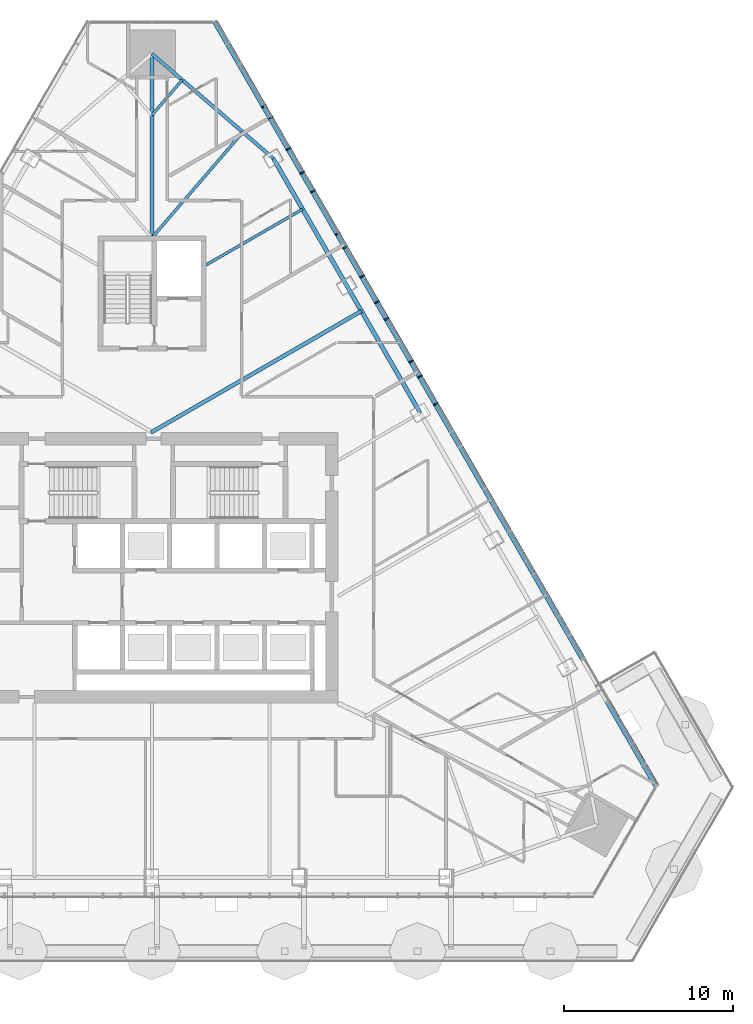
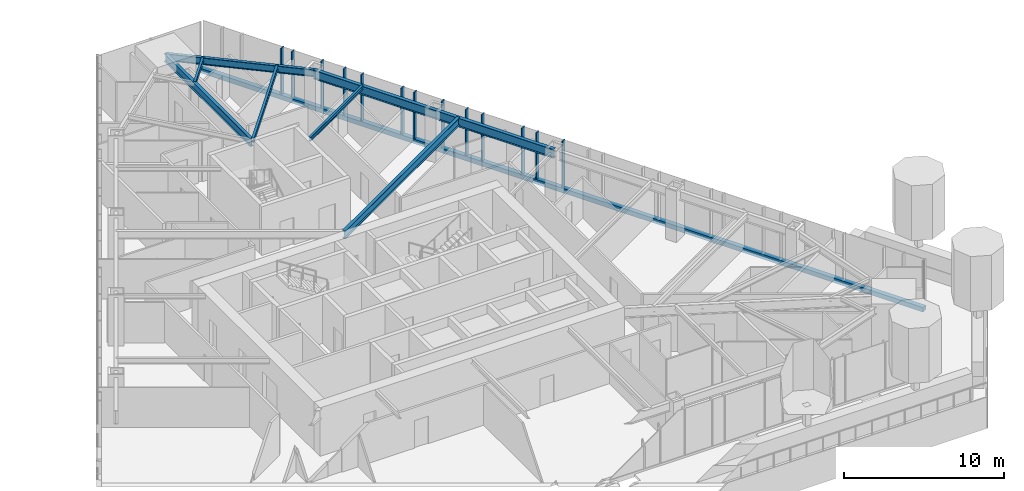
# One storey, part 7 of 24: 14 members, 7 beams, 1 element without a shape of its own.
"""IFC4 building model written with IfcOpenShell, lengths in metres."""

from ifc_helpers import new_model, si_unit, direction, frame, origin, origin_2d, place, context, subcontext, project, spatial, rectangle, i_section, extrude, material, layer, layer_set, material_profile, profile_set, type_object, element, aggregate, save


model = new_model("IFC4")

# Units and contexts
model_context = context("Model", 3, precision=1e-05, world=origin(), true_north=direction((0.0, 1.0)))
body_context = subcontext(model_context, "Body", "Model", "MODEL_VIEW")
ifc_project = project(units=[si_unit("LENGTHUNIT", "METRE"), si_unit("AREAUNIT", "SQUARE_METRE"), si_unit("VOLUMEUNIT", "CUBIC_METRE"), si_unit("PLANEANGLEUNIT", "RADIAN"), si_unit("MASSUNIT", "GRAM", prefix="KILO")], contexts=[model_context])

# Site, building, storey
site_placement = place(None, origin())
site = spatial("IfcSite", under=ifc_project, at=site_placement, CompositionType="ELEMENT")
building_placement = place(site_placement, origin())
building = spatial("IfcBuilding", under=site, at=building_placement, Name="Firuza Gate Tower and Library", CompositionType="ELEMENT")
storey_placement = place(building_placement, frame((0.0, 0.0, 194.800048828125)))
storey = spatial("IfcBuildingStorey", under=building, at=storey_placement, Name="L45", CompositionType="ELEMENT", Elevation=194.800048828125)

# Curtain wall, members
ifc_material_1 = material(Name="Aluminium 6063-T6", Category="aluminium")
ifc_layer = layer(ifc_material_1, 0.14990234375)
ifc_layer_set = layer_set([ifc_layer], Name="Unitised curtain wall, hotel")
curtain_wall_type = type_object("IfcCurtainWallType", Name="Unitised curtain wall, hotel", PredefinedType="NOTDEFINED", material=ifc_layer_set)
curtain_wall_placement = place(storey_placement, origin())
curtain_wall = element("IfcCurtainWall", 1, at=curtain_wall_placement, inside=storey, type_object=curtain_wall_type, Name="CW2 L45 E face", PredefinedType="NOTDEFINED")
ifc_material_2 = material(Name="Aluminium 6063-T6", Category="aluminium")
ifc_material_profile_1 = material_profile(ifc_material_2, rectangle(XDim=0.320068359375, YDim=0.080078125, at=origin_2d()))
ifc_profile_set_1 = profile_set([ifc_material_profile_1], Name="Aluminium 6063-T6")
member_type_1 = type_object("IfcMemberType", Name="Curtain wall mullion 80x320", PredefinedType="MULLION", material=ifc_profile_set_1)
member_1_placement = place(storey_placement, frame((91.767333984375, 84.6806640625, 0.14990234375), z_axis=(0.0, 0.0, 1.0), x_axis=(-0.866025403784, -0.5, 0.0)))
member_1 = element("IfcMember", 2, at=member_1_placement, type_object=member_type_1, Name="Mullion", PredefinedType="MULLION", context=body_context, shape_type="SweptSolid", body=[
    extrude(rectangle(XDim=0.320068359375, YDim=0.080078125, at=origin_2d()), origin(), (0.0, 0.0, 1.0), 3.550048828125),
])
member_2_placement = place(storey_placement, frame((90.317138671875, 87.192138671875, 0.14990234375), z_axis=(0.0, 0.0, 1.0), x_axis=(-0.866025403784, -0.5, 0.0)))
member_2 = element("IfcMember", 3, at=member_2_placement, type_object=member_type_1, Name="Mullion", PredefinedType="MULLION", context=body_context, shape_type="SweptSolid", body=[
    extrude(rectangle(XDim=0.320068359375, YDim=0.080078125, at=origin_2d()), origin(), (0.0, 0.0, 1.0), 3.550048828125),
])
member_3_placement = place(storey_placement, frame((88.8671875, 89.70361328125, 0.14990234375), z_axis=(0.0, 0.0, 1.0), x_axis=(-0.866025403784, -0.5, 0.0)))
member_3 = element("IfcMember", 4, at=member_3_placement, type_object=member_type_1, Name="Mullion", PredefinedType="MULLION", context=body_context, shape_type="SweptSolid", body=[
    extrude(rectangle(XDim=0.320068359375, YDim=0.080078125, at=origin_2d()), origin(), (0.0, 0.0, 1.0), 3.550048828125),
])
member_4_placement = place(storey_placement, frame((87.417236328125, 92.215087890625, 0.14990234375), z_axis=(0.0, 0.0, 1.0), x_axis=(-0.866025403784, -0.5, 0.0)))
member_4 = element("IfcMember", 5, at=member_4_placement, type_object=member_type_1, Name="Mullion", PredefinedType="MULLION", context=body_context, shape_type="SweptSolid", body=[
    extrude(rectangle(XDim=0.320068359375, YDim=0.080078125, at=origin_2d()), origin(), (0.0, 0.0, 1.0), 3.550048828125),
])
member_5_placement = place(storey_placement, frame((85.967041015625, 94.726806640625, 0.14990234375), z_axis=(0.0, 0.0, 1.0), x_axis=(-0.866025403784, -0.5, 0.0)))
member_5 = element("IfcMember", 6, at=member_5_placement, type_object=member_type_1, Name="Mullion", PredefinedType="MULLION", context=body_context, shape_type="SweptSolid", body=[
    extrude(rectangle(XDim=0.320068359375, YDim=0.080078125, at=origin_2d()), origin(), (0.0, 0.0, 1.0), 3.550048828125),
])
member_6_placement = place(storey_placement, frame((84.51708984375, 97.23828125, 0.14990234375), z_axis=(0.0, 0.0, 1.0), x_axis=(-0.866025403784, -0.5, 0.0)))
member_6 = element("IfcMember", 7, at=member_6_placement, type_object=member_type_1, Name="Mullion", PredefinedType="MULLION", context=body_context, shape_type="SweptSolid", body=[
    extrude(rectangle(XDim=0.320068359375, YDim=0.080078125, at=origin_2d()), origin(), (0.0, 0.0, 1.0), 3.550048828125),
])
member_7_placement = place(storey_placement, frame((83.067138671875, 99.749755859375, 0.14990234375), z_axis=(0.0, 0.0, 1.0), x_axis=(-0.866025403784, -0.5, 0.0)))
member_7 = element("IfcMember", 8, at=member_7_placement, type_object=member_type_1, Name="Mullion", PredefinedType="MULLION", context=body_context, shape_type="SweptSolid", body=[
    extrude(rectangle(XDim=0.320068359375, YDim=0.080078125, at=origin_2d()), origin(), (0.0, 0.0, 1.0), 3.550048828125),
])
member_8_placement = place(storey_placement, frame((81.616943359375, 102.26123046875, 0.14990234375), z_axis=(0.0, 0.0, 1.0), x_axis=(-0.866025403784, -0.5, 0.0)))
member_8 = element("IfcMember", 9, at=member_8_placement, type_object=member_type_1, Name="Mullion", PredefinedType="MULLION", context=body_context, shape_type="SweptSolid", body=[
    extrude(rectangle(XDim=0.320068359375, YDim=0.080078125, at=origin_2d()), origin(), (0.0, 0.0, 1.0), 3.550048828125),
])
member_9_placement = place(storey_placement, frame((90.831298828125, 86.3017578125, 0.14990234375), z_axis=(0.0, 0.0, 1.0), x_axis=(-0.866025403784, -0.5, 0.0)))
member_9 = element("IfcMember", 10, at=member_9_placement, type_object=member_type_1, Name="Mullion", PredefinedType="MULLION", context=body_context, shape_type="SweptSolid", body=[
    extrude(rectangle(XDim=0.320068359375, YDim=0.080078125, at=origin_2d()), origin(), (0.0, 0.0, 1.0), 3.550048828125),
])
member_10_placement = place(storey_placement, frame((88.291259765625, 90.701171875, 0.14990234375), z_axis=(0.0, 0.0, 1.0), x_axis=(-0.866025403784, -0.5, 0.0)))
member_10 = element("IfcMember", 11, at=member_10_placement, type_object=member_type_1, Name="Mullion", PredefinedType="MULLION", context=body_context, shape_type="SweptSolid", body=[
    extrude(rectangle(XDim=0.320068359375, YDim=0.080078125, at=origin_2d()), origin(), (0.0, 0.0, 1.0), 3.550048828125),
])
member_11_placement = place(storey_placement, frame((86.41943359375, 93.943359375, 0.14990234375), z_axis=(0.0, 0.0, 1.0), x_axis=(-0.866025403784, -0.5, 0.0)))
member_11 = element("IfcMember", 12, at=member_11_placement, type_object=member_type_1, Name="Mullion", PredefinedType="MULLION", context=body_context, shape_type="SweptSolid", body=[
    extrude(rectangle(XDim=0.320068359375, YDim=0.080078125, at=origin_2d()), origin(), (0.0, 0.0, 1.0), 3.550048828125),
])
member_12_placement = place(storey_placement, frame((83.87939453125, 98.3427734375, 0.14990234375), z_axis=(0.0, 0.0, 1.0), x_axis=(-0.866025403784, -0.5, 0.0)))
member_12 = element("IfcMember", 13, at=member_12_placement, type_object=member_type_1, Name="Mullion", PredefinedType="MULLION", context=body_context, shape_type="SweptSolid", body=[
    extrude(rectangle(XDim=0.320068359375, YDim=0.080078125, at=origin_2d()), origin(), (0.0, 0.0, 1.0), 3.550048828125),
])
member_13_placement = place(storey_placement, frame((82.00732421875, 101.585205078125, 0.14990234375), z_axis=(0.0, 0.0, 1.0), x_axis=(-0.866025403784, -0.5, 0.0)))
member_13 = element("IfcMember", 14, at=member_13_placement, type_object=member_type_1, Name="Mullion", PredefinedType="MULLION", context=body_context, shape_type="SweptSolid", body=[
    extrude(rectangle(XDim=0.320068359375, YDim=0.080078125, at=origin_2d()), origin(), (0.0, 0.0, 1.0), 3.550048828125),
])
ifc_material_3 = material(Name="Aluminium 6063-T6", Category="aluminium")
ifc_material_profile_2 = material_profile(ifc_material_3, rectangle(XDim=0.320068359375, YDim=0.35009765625, at=origin_2d()))
ifc_profile_set_2 = profile_set([ifc_material_profile_2], Name="Aluminium 6063-T6")
member_type_2 = type_object("IfcMemberType", Name="Curtain wall transom 350x320", PredefinedType="USERDEFINED", material=ifc_profile_set_2)
member_14_placement = place(storey_placement, frame((104.817626953125, 62.07666015625, -0.025146484375), z_axis=(-0.500001660192, 0.86602444527, 0.0), x_axis=(-0.86602444527, -0.500001660192, 0.0)))
member_14 = element("IfcMember", 15, at=member_14_placement, type_object=member_type_2, Name="Transom", ObjectType="TRANSOM", PredefinedType="USERDEFINED", context=body_context, shape_type="SweptSolid", body=[
    extrude(rectangle(XDim=0.320068359375, YDim=0.35009765625, at=origin_2d()), origin(), (0.0, 0.0, 1.0), 52.201416015625),
])
aggregate(curtain_wall, [member_1, member_2, member_3, member_4, member_5, member_6, member_7, member_8, member_14, member_9, member_10, member_11, member_12, member_13])

# Beams
ifc_material_4 = material(Name="Steel S355", Category="steel")
ifc_material_profile_3 = material_profile(ifc_material_4, i_section(OverallWidth=0.1650390625, OverallDepth=0.31005859375, WebThickness=0.005859375, FlangeThickness=0.009765625, at=origin_2d()))
ifc_profile_set_3 = profile_set([ifc_material_profile_3], Name="Steel S355")
beam_type_1 = type_object("IfcBeamType", Name="W310x39 Floor beam", PredefinedType="JOIST", material=ifc_profile_set_3)
beam_1_placement = place(storey_placement, frame((83.900634765625, 96.18603515625, 3.544921875), z_axis=(-0.866027472073, -0.499996417602, 0.0), x_axis=(0.499996417602, -0.866027472073, 0.0)))
element("IfcBeam", 16, at=beam_1_placement, inside=storey, type_object=beam_type_1, Name="Floor beam L45 s54", PredefinedType="JOIST", context=body_context, shape_type="SweptSolid", body=[
    extrude(i_section(OverallWidth=0.1650390625, OverallDepth=0.31005859375, WebThickness=0.005859375, FlangeThickness=0.009765625, at=origin_2d()), origin(), (0.0, 0.0, 1.0), 6.58251953125),
])
beam_2_placement = place(storey_placement, frame((76.790771484375, 103.823974609375, 3.544921875), z_axis=(-0.652701953737, -0.757614783111, 0.0), x_axis=(0.757614783111, -0.652701953737, 0.0)))
element("IfcBeam", 17, at=beam_2_placement, inside=storey, type_object=beam_type_1, Name="Floor beam L45 s61", PredefinedType="JOIST", context=body_context, shape_type="SweptSolid", body=[
    extrude(i_section(OverallWidth=0.1650390625, OverallDepth=0.31005859375, WebThickness=0.005859375, FlangeThickness=0.009765625, at=origin_2d()), origin(), (0.0, 0.0, 1.0), 2.74365234375),
])
ifc_material_5 = material(Name="Steel S355", Category="steel")
ifc_material_profile_4 = material_profile(ifc_material_5, i_section(OverallWidth=0.1708984375, OverallDepth=0.35498046875, WebThickness=0.007080078125, FlangeThickness=0.01171875, at=origin_2d()))
ifc_profile_set_4 = profile_set([ifc_material_profile_4], Name="Steel S355")
beam_type_2 = type_object("IfcBeamType", Name="W360x51 Floor beam", PredefinedType="JOIST", material=ifc_profile_set_4)
beam_3_placement = place(storey_placement, frame((80.37255859375, 100.73779296875, 3.5224609375), z_axis=(-0.65274228711, -0.757580033144, 0.0), x_axis=(0.757580033144, -0.65274228711, 0.0)))
element("IfcBeam", 18, at=beam_3_placement, inside=storey, type_object=beam_type_2, Name="Floor beam L45 s60", PredefinedType="JOIST", context=body_context, shape_type="SweptSolid", body=[
    extrude(i_section(OverallWidth=0.1708984375, OverallDepth=0.35498046875, WebThickness=0.007080078125, FlangeThickness=0.01171875, at=origin_2d()), origin(), (0.0, 0.0, 1.0), 8.101806640625),
])
ifc_material_6 = material(Name="Steel S355", Category="steel")
ifc_material_profile_5 = material_profile(ifc_material_6, i_section(OverallWidth=0.212890625, OverallDepth=0.5390625, WebThickness=0.01171875, FlangeThickness=0.018798828125, at=origin_2d()))
ifc_profile_set_5 = profile_set([ifc_material_profile_5], Name="Steel S355")
beam_type_3 = type_object("IfcBeamType", Name="W530x109 Edge beam", PredefinedType="SPANDREL", material=ifc_profile_set_5)
beam_4_placement = place(storey_placement, frame((82.16357421875, 99.19482421875, 3.430419921875), z_axis=(-0.757586494154, 0.652734788314, 0.0), x_axis=(-0.652734788314, -0.757586494154, 0.0)))
element("IfcBeam", 19, at=beam_4_placement, inside=storey, type_object=beam_type_3, Name="Edge beam L45 e60", PredefinedType="SPANDREL", context=body_context, shape_type="SweptSolid", body=[
    extrude(i_section(OverallWidth=0.212890625, OverallDepth=0.5390625, WebThickness=0.01171875, FlangeThickness=0.018798828125, at=origin_2d()), origin(), (0.0, 0.0, 1.0), 9.455810546875),
])
ifc_material_7 = material(Name="Steel S355", Category="steel")
ifc_material_profile_6 = material_profile(ifc_material_7, i_section(OverallWidth=0.22802734375, OverallDepth=0.60302734375, WebThickness=0.010498046875, FlangeThickness=0.014892578125, at=origin_2d()))
ifc_profile_set_6 = profile_set([ifc_material_profile_6], Name="Steel S355")
beam_type_4 = type_object("IfcBeamType", Name="W610x101 Floor beam", PredefinedType="JOIST", material=ifc_profile_set_6)
beam_5_placement = place(storey_placement, frame((87.375, 90.168212890625, 3.3984375), z_axis=(-0.866026494677, -0.499998110514, 0.0), x_axis=(0.499998110514, -0.866026494677, 0.0)))
element("IfcBeam", 20, at=beam_5_placement, inside=storey, type_object=beam_type_4, Name="Floor beam L45 s53", PredefinedType="JOIST", context=body_context, shape_type="SweptSolid", body=[
    extrude(i_section(OverallWidth=0.22802734375, OverallDepth=0.60302734375, WebThickness=0.010498046875, FlangeThickness=0.014892578125, at=origin_2d()), origin(), (0.0, 0.0, 1.0), 14.33642578125),
])
ifc_material_8 = material(Name="Steel S355", Category="steel")
ifc_material_profile_7 = material_profile(ifc_material_8, i_section(OverallWidth=0.22802734375, OverallDepth=0.60302734375, WebThickness=0.010498046875, FlangeThickness=0.014892578125, at=origin_2d()))
ifc_profile_set_7 = profile_set([ifc_material_profile_7], Name="Steel S355")
beam_type_5 = type_object("IfcBeamType", Name="W610x101 Girder", PredefinedType="BEAM", material=ifc_profile_set_7)
beam_6_placement = place(storey_placement, frame((75.0, 105.366943359375, 3.3984375), z_axis=(0.0, -1.0, 0.0), x_axis=(1.0, 0.0, 0.0)))
element("IfcBeam", 21, at=beam_6_placement, inside=storey, type_object=beam_type_5, Name="Girder L45 gN", PredefinedType="BEAM", context=body_context, shape_type="SweptSolid", body=[
    extrude(i_section(OverallWidth=0.22802734375, OverallDepth=0.60302734375, WebThickness=0.010498046875, FlangeThickness=0.014892578125, at=origin_2d()), origin(), (0.0, 0.0, 1.0), 10.766845703125),
])
ifc_material_9 = material(Name="Steel S355", Category="steel")
ifc_material_profile_8 = material_profile(ifc_material_9, i_section(OverallWidth=0.2529296875, OverallDepth=0.677978515625, WebThickness=0.01171875, FlangeThickness=0.016357421875, at=origin_2d()))
ifc_profile_set_8 = profile_set([ifc_material_profile_8], Name="Steel S355")
beam_type_6 = type_object("IfcBeamType", Name="W690x125 Edge beam", PredefinedType="SPANDREL", material=ifc_profile_set_8)
beam_7_placement = place(storey_placement, frame((90.849365234375, 84.150634765625, 3.36083984375), z_axis=(-0.500001044169, 0.866024800932, 0.0), x_axis=(-0.866024800932, -0.500001044169, 0.0)))
element("IfcBeam", 22, at=beam_7_placement, inside=storey, type_object=beam_type_6, Name="Edge beam L45 e52", PredefinedType="SPANDREL", context=body_context, shape_type="SweptSolid", body=[
    extrude(i_section(OverallWidth=0.2529296875, OverallDepth=0.677978515625, WebThickness=0.01171875, FlangeThickness=0.016357421875, at=origin_2d()), origin(), (0.0, 0.0, 1.0), 17.37158203125),
])

save(model, "model.ifc")
